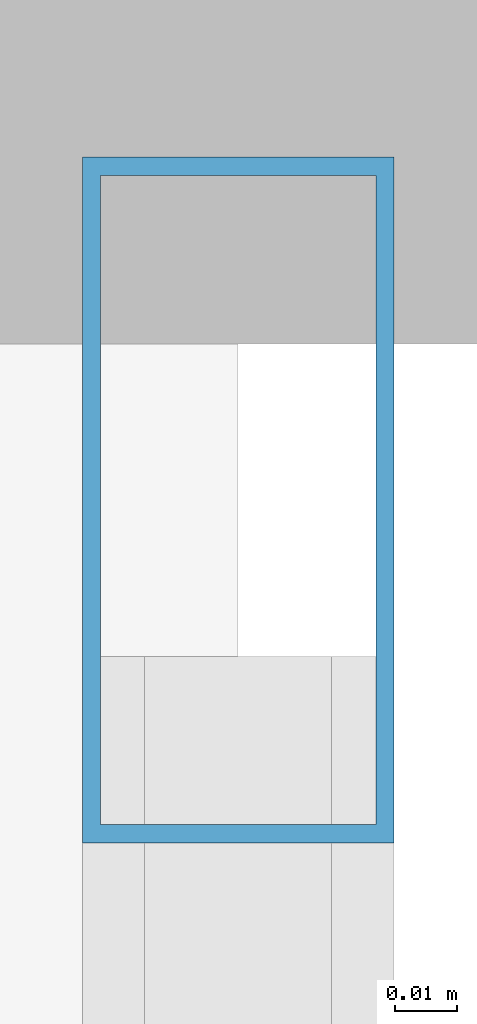
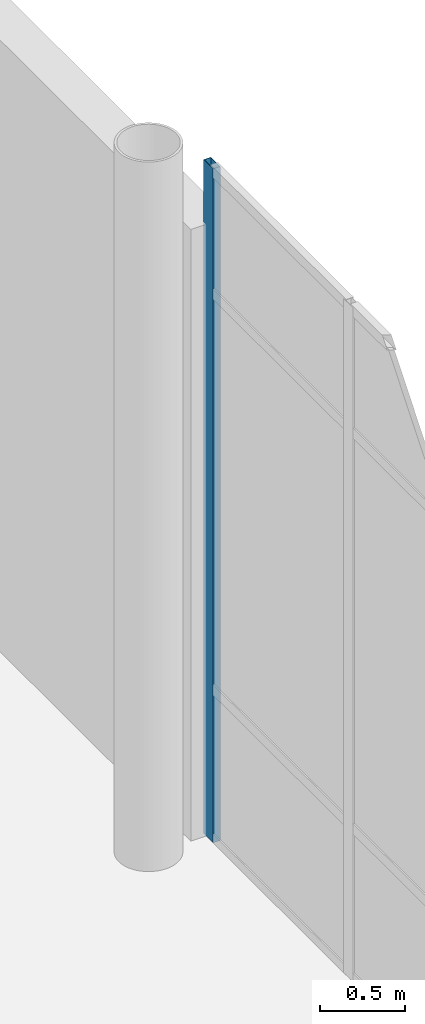
# One storey, part 43 of 104: 1 member, 1 element without a shape of its own.
"""IFC4 building model written with IfcOpenShell, lengths in metres."""

from ifc_helpers import new_model, si_unit, direction, frame, origin, origin_2d, place, context, subcontext, project, spatial, hollow_rectangle, extrude, material, layer, layer_set, material_profile, profile_set, type_object, element, aggregate, save


model = new_model("IFC4")

# Units and contexts
model_context = context("Model", 3, precision=1e-05, world=origin(), true_north=direction((0.0, 1.0)))
body_context = subcontext(model_context, "Body", "Model", "MODEL_VIEW")
ifc_project = project(units=[si_unit("LENGTHUNIT", "METRE"), si_unit("AREAUNIT", "SQUARE_METRE"), si_unit("VOLUMEUNIT", "CUBIC_METRE"), si_unit("PLANEANGLEUNIT", "RADIAN"), si_unit("MASSUNIT", "GRAM", prefix="KILO"), si_unit("THERMODYNAMICTEMPERATUREUNIT", "KELVIN")], contexts=[model_context])

# Site, building, storey
site_placement = place(None, origin())
site = spatial("IfcSite", under=ifc_project, at=site_placement, CompositionType="ELEMENT")
building_placement = place(site_placement, origin())
building = spatial("IfcBuilding", under=site, at=building_placement, Name="Lustrewick Department Store", CompositionType="ELEMENT")
storey_placement = place(building_placement, frame((0.0, 0.0, 11.39990234375)))
storey = spatial("IfcBuildingStorey", under=building, at=storey_placement, Name="L03", CompositionType="ELEMENT", Elevation=11.39990234375)

# Curtain wall, member
ifc_material = material(Name="Thermally broken aluminium 6063-T5", Category="aluminium")
ifc_layer = layer(ifc_material, 0.110107421875, Name="Thermally broken aluminium 6063-T5")
ifc_layer_set = layer_set([ifc_layer], Name="Thermally broken aluminium 6063-T5")
curtain_wall_type = type_object("IfcCurtainWallType", Name="CW09", PredefinedType="NOTDEFINED", material=ifc_layer_set)
curtain_wall_placement = place(storey_placement, origin())
curtain_wall = element("IfcCurtainWall", 1, at=curtain_wall_placement, inside=storey, type_object=curtain_wall_type, Name="L03 V3 Curtain Wall CW09", PredefinedType="NOTDEFINED")
ifc_material_profile = material_profile(ifc_material, hollow_rectangle(XDim=0.050048828125, YDim=0.110107421875, WallThickness=0.0029296875, at=origin_2d()), Name="ALU-M 50x110x3")
ifc_profile_set = profile_set([ifc_material_profile], Name="Thermally broken aluminium 6063-T5")
member_type = type_object("IfcMemberType", Name="CW09-M1", PredefinedType="MULLION", material=ifc_profile_set)
member_placement = place(storey_placement, frame((151.199951171875, 16.7451171875, 0.0), z_axis=(0.0, 0.0, 1.0), x_axis=(-1.0, 0.0, 0.0)))
member = element("IfcMember", 2, at=member_placement, type_object=member_type, Name="CW09 mullion 6", PredefinedType="MULLION", context=body_context, shape_type="SweptSolid", body=[
    extrude(hollow_rectangle(XDim=0.050048828125, YDim=0.110107421875, WallThickness=0.0029296875, at=origin_2d()), origin(), (0.0, 0.0, 1.0), 4.84521484375),
])
aggregate(curtain_wall, [member])

save(model, "model.ifc")
